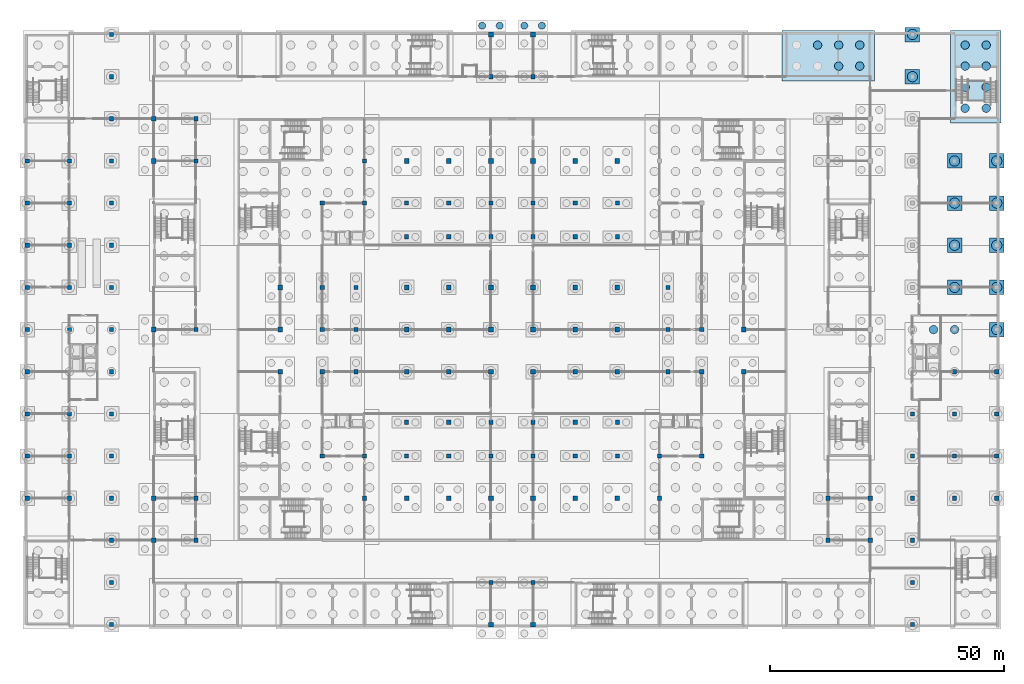
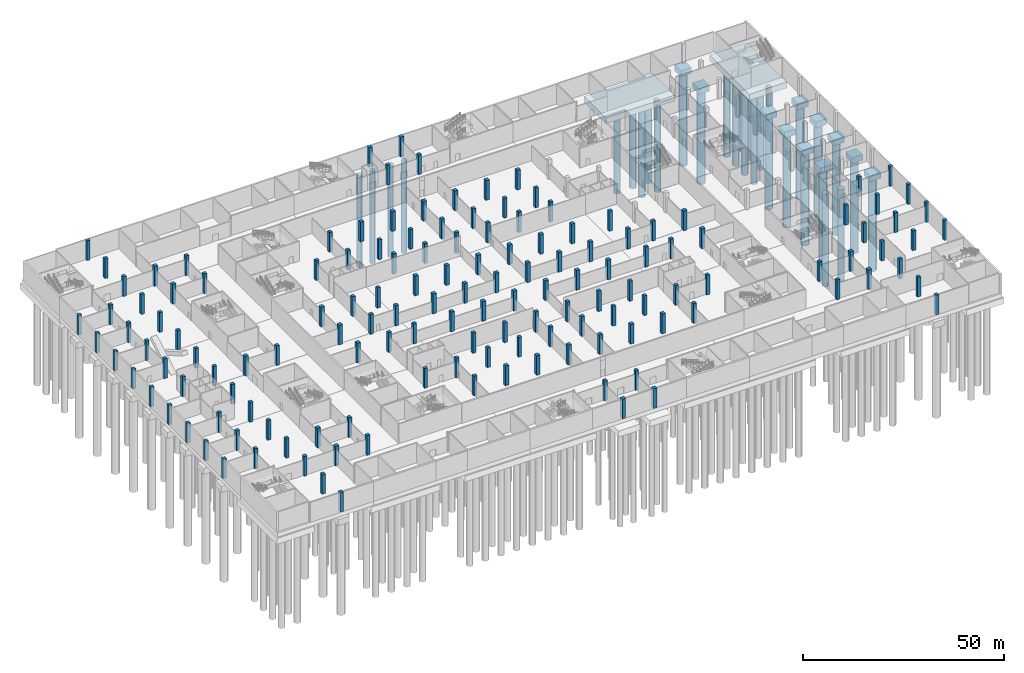
# One storey, part 4 of 42: 147 columns, 30 piles, 13 footings.
"""IFC4 building model written with IfcOpenShell, lengths in metres."""

from ifc_helpers import new_model, si_unit, direction, frame, origin, origin_2d, place, context, subcontext, project, spatial, rectangle, circle, extrude, material, material_profile, profile_set, type_object, element, save


model = new_model("IFC4")

# Units and contexts
model_context = context("Model", 3, precision=1e-05, world=origin(), true_north=direction((0.0, 1.0)))
body_context = subcontext(model_context, "Body", "Model", "MODEL_VIEW")
ifc_project = project(units=[si_unit("LENGTHUNIT", "METRE"), si_unit("AREAUNIT", "SQUARE_METRE"), si_unit("VOLUMEUNIT", "CUBIC_METRE"), si_unit("PLANEANGLEUNIT", "RADIAN"), si_unit("MASSUNIT", "GRAM", prefix="KILO")], contexts=[model_context])

# Site, building, storey
site_placement = place(None, origin())
site = spatial("IfcSite", under=ifc_project, at=site_placement, CompositionType="ELEMENT")
building_placement = place(site_placement, origin())
building = spatial("IfcBuilding", under=site, at=building_placement, Name="Silverbay Arena", CompositionType="ELEMENT")
storey_placement = place(building_placement, frame((0.0, 0.0, -6.0)))
storey = spatial("IfcBuildingStorey", under=building, at=storey_placement, Name="B1", CompositionType="ELEMENT", Elevation=-6.0)

# Piles
ifc_material_1 = material(Name="Concrete Grade C45", Category="concrete")
ifc_material_profile_1 = material_profile(ifc_material_1, circle(Radius=0.75, at=origin_2d()), Name="Bored pile 1500")
ifc_profile_set_1 = profile_set([ifc_material_profile_1], Name="Concrete Grade C45")
pile_type_1 = type_object("IfcPileType", Name="Bored pile 1500", PredefinedType="BORED", material=ifc_profile_set_1)
for number, where, z_axis, x_axis, name in (
    (1, (124.125, 145.875, -3.0), (0.0, 0.0, -1.0), (1.0, 0.0, 0.0), "Bored pile 124.125/145.875"),
    (2, (127.875, 145.875, -3.0), (0.0, 0.0, -1.0), (1.0, 0.0, 0.0), "Bored pile 127.875/145.875"),
    (3, (133.125, 145.875, -3.0), (0.0, 0.0, -1.0), (1.0, 0.0, 0.0), "Bored pile 133.125/145.875"),
    (4, (136.875, 145.875, -3.0), (0.0, 0.0, -1.0), (1.0, 0.0, 0.0), "Bored pile 136.875/145.875"),
):
    element("IfcPile", number, at=place(storey_placement, frame(where, z_axis=z_axis, x_axis=x_axis)), inside=storey, type_object=pile_type_1, Name=name, PredefinedType="BORED", context=body_context, shape_type="SweptSolid", body=[
        extrude(circle(Radius=0.75, at=origin_2d()), origin(), (0.0, 0.0, 1.0), 28.0),
    ])
ifc_material_2 = material(Name="Concrete Grade C45", Category="concrete")
ifc_material_profile_2 = material_profile(ifc_material_2, circle(Radius=0.89990234375, at=origin_2d()), Name="Bored pile 1800")
ifc_profile_set_2 = profile_set([ifc_material_profile_2], Name="Concrete Grade C45")
pile_type_2 = type_object("IfcPileType", Name="Bored pile 1800", PredefinedType="BORED", material=ifc_profile_set_2)
for number, where, z_axis, x_axis, name in (
    (5, (220.5, 81.0, -3.0), (0.0, 0.0, -1.0), (1.0, 0.0, 0.0), "Bored pile 220.5/81"),
    (6, (225.0, 81.0, -3.0), (0.0, 0.0, -1.0), (1.0, 0.0, 0.0), "Bored pile 225/81"),
    (7, (227.25, 128.25, -3.0), (0.0, 0.0, -1.0), (1.0, 0.0, 0.0), "Bored pile 227.25/128.25"),
    (8, (227.25, 132.75, -3.0), (0.0, 0.0, -1.0), (1.0, 0.0, 0.0), "Bored pile 227.25/132.75"),
    (9, (227.25, 137.25, -3.0), (0.0, 0.0, -1.0), (1.0, 0.0, 0.0), "Bored pile 227.25/137.25"),
    (10, (227.25, 141.75, -3.0), (0.0, 0.0, -1.0), (1.0, 0.0, 0.0), "Bored pile 227.25/141.75"),
    (11, (231.75, 128.25, -3.0), (0.0, 0.0, -1.0), (1.0, 0.0, 0.0), "Bored pile 231.75/128.25"),
    (12, (231.75, 132.75, -3.0), (0.0, 0.0, -1.0), (1.0, 0.0, 0.0), "Bored pile 231.75/132.75"),
    (13, (231.75, 137.25, -3.0), (0.0, 0.0, -1.0), (1.0, 0.0, 0.0), "Bored pile 231.75/137.25"),
    (14, (231.75, 141.75, -3.0), (0.0, 0.0, -1.0), (1.0, 0.0, 0.0), "Bored pile 231.75/141.75"),
    (15, (195.75, 141.75, -3.0), (0.0, 0.0, -1.0), (1.0, 0.0, 0.0), "Bored pile 195.75/141.75"),
    (16, (200.25, 137.25, -3.0), (0.0, 0.0, -1.0), (1.0, 0.0, 0.0), "Bored pile 200.25/137.25"),
    (17, (200.25, 141.75, -3.0), (0.0, 0.0, -1.0), (1.0, 0.0, 0.0), "Bored pile 200.25/141.75"),
    (18, (204.75, 137.25, -3.0), (0.0, 0.0, -1.0), (1.0, 0.0, 0.0), "Bored pile 204.75/137.25"),
    (19, (204.75, 141.75, -3.0), (0.0, 0.0, -1.0), (1.0, 0.0, 0.0), "Bored pile 204.75/141.75"),
):
    element("IfcPile", number, at=place(storey_placement, frame(where, z_axis=z_axis, x_axis=x_axis)), inside=storey, type_object=pile_type_2, Name=name, PredefinedType="BORED", context=body_context, shape_type="SweptSolid", body=[
        extrude(circle(Radius=0.89990234375, at=origin_2d()), origin(), (0.0, 0.0, 1.0), 28.0),
    ])
ifc_material_3 = material(Name="Concrete Grade C45", Category="concrete")
ifc_material_profile_3 = material_profile(ifc_material_3, circle(Radius=1.10009765625, at=origin_2d()), Name="Bored pile 2200")
ifc_profile_set_3 = profile_set([ifc_material_profile_3], Name="Concrete Grade C45")
pile_type_3 = type_object("IfcPileType", Name="Bored pile 2200", PredefinedType="BORED", material=ifc_profile_set_3)
for number, where, z_axis, x_axis, name in (
    (20, (234.0, 81.0, -3.0), (0.0, 0.0, -1.0), (1.0, 0.0, 0.0), "Bored pile 234/81"),
    (21, (225.0, 90.0, -3.0), (0.0, 0.0, -1.0), (1.0, 0.0, 0.0), "Bored pile 225/90"),
    (22, (234.0, 90.0, -3.0), (0.0, 0.0, -1.0), (1.0, 0.0, 0.0), "Bored pile 234/90"),
    (23, (225.0, 99.0, -3.0), (0.0, 0.0, -1.0), (1.0, 0.0, 0.0), "Bored pile 225/99"),
    (24, (234.0, 99.0, -3.0), (0.0, 0.0, -1.0), (1.0, 0.0, 0.0), "Bored pile 234/99"),
    (25, (225.0, 108.0, -3.0), (0.0, 0.0, -1.0), (1.0, 0.0, 0.0), "Bored pile 225/108"),
    (26, (234.0, 108.0, -3.0), (0.0, 0.0, -1.0), (1.0, 0.0, 0.0), "Bored pile 234/108"),
    (27, (225.0, 117.0, -3.0), (0.0, 0.0, -1.0), (1.0, 0.0, 0.0), "Bored pile 225/117"),
    (28, (234.0, 117.0, -3.0), (0.0, 0.0, -1.0), (1.0, 0.0, 0.0), "Bored pile 234/117"),
    (29, (216.0, 135.0, -3.0), (0.0, 0.0, -1.0), (1.0, 0.0, 0.0), "Bored pile 216/135"),
    (30, (216.0, 144.0, -3.0), (0.0, 0.0, -1.0), (1.0, 0.0, 0.0), "Bored pile 216/144"),
):
    element("IfcPile", number, at=place(storey_placement, frame(where, z_axis=z_axis, x_axis=x_axis)), inside=storey, type_object=pile_type_3, Name=name, PredefinedType="BORED", context=body_context, shape_type="SweptSolid", body=[
        extrude(circle(Radius=1.10009765625, at=origin_2d()), origin(), (0.0, 0.0, 1.0), 28.0),
    ])

# Footings
ifc_material_4 = material(Name="Concrete Grade C45", Category="concrete")
footing_type_1 = type_object("IfcFootingType", Name="Pile cap 1 piles 3100x3100x1800", PredefinedType="PILE_CAP", material=ifc_material_4)
for number, where, z_axis, x_axis, name in (
    (31, (234.0, 81.0, -3.0), (0.0, 0.0, 1.0), (1.0, 0.0, 0.0), "Pile cap 234/81"),
    (32, (225.0, 90.0, -3.0), (0.0, 0.0, 1.0), (1.0, 0.0, 0.0), "Pile cap 225/90"),
    (33, (234.0, 90.0, -3.0), (0.0, 0.0, 1.0), (1.0, 0.0, 0.0), "Pile cap 234/90"),
    (34, (225.0, 99.0, -3.0), (0.0, 0.0, 1.0), (1.0, 0.0, 0.0), "Pile cap 225/99"),
    (35, (234.0, 99.0, -3.0), (0.0, 0.0, 1.0), (1.0, 0.0, 0.0), "Pile cap 234/99"),
    (36, (225.0, 108.0, -3.0), (0.0, 0.0, 1.0), (1.0, 0.0, 0.0), "Pile cap 225/108"),
    (37, (234.0, 108.0, -3.0), (0.0, 0.0, 1.0), (1.0, 0.0, 0.0), "Pile cap 234/108"),
    (38, (225.0, 117.0, -3.0), (0.0, 0.0, 1.0), (1.0, 0.0, 0.0), "Pile cap 225/117"),
    (39, (234.0, 117.0, -3.0), (0.0, 0.0, 1.0), (1.0, 0.0, 0.0), "Pile cap 234/117"),
    (40, (216.0, 135.0, -3.0), (0.0, 0.0, 1.0), (1.0, 0.0, 0.0), "Pile cap 216/135"),
    (41, (216.0, 144.0, -3.0), (0.0, 0.0, 1.0), (1.0, 0.0, 0.0), "Pile cap 216/144"),
):
    element("IfcFooting", number, at=place(storey_placement, frame(where, z_axis=z_axis, x_axis=x_axis)), inside=storey, type_object=footing_type_1, Name=name, PredefinedType="PILE_CAP", context=body_context, shape_type="SweptSolid", body=[
        extrude(rectangle(XDim=3.10009765625, YDim=3.10009765625, at=origin_2d()), origin(), (0.0, 0.0, 1.0), 1.800048828125),
    ])
ifc_material_5 = material(Name="Concrete Grade C45", Category="concrete")
footing_type_2 = type_object("IfcFootingType", Name="Pile cap 8 piles 10800x19800x1800", PredefinedType="PILE_CAP", material=ifc_material_5)
footing_1_placement = place(storey_placement, frame((229.5, 135.0, -3.0), z_axis=(0.0, 0.0, 1.0), x_axis=(1.0, 0.0, 0.0)))
element("IfcFooting", 42, at=footing_1_placement, inside=storey, type_object=footing_type_2, Name="Pile cap 229.5/135", PredefinedType="PILE_CAP", context=body_context, shape_type="SweptSolid", body=[
    extrude(rectangle(XDim=10.800048828125, YDim=19.800048828125, at=origin_2d()), origin(), (0.0, 0.0, 1.0), 1.800048828125),
])
ifc_material_6 = material(Name="Concrete Grade C45", Category="concrete")
footing_type_3 = type_object("IfcFootingType", Name="Pile cap 8 piles 19800x10800x1800", PredefinedType="PILE_CAP", material=ifc_material_6)
footing_2_placement = place(storey_placement, frame((198.0, 139.5, -3.0), z_axis=(0.0, 0.0, 1.0), x_axis=(1.0, 0.0, 0.0)))
element("IfcFooting", 43, at=footing_2_placement, inside=storey, type_object=footing_type_3, Name="Pile cap 198/139.5", PredefinedType="PILE_CAP", context=body_context, shape_type="SweptSolid", body=[
    extrude(rectangle(XDim=19.800048828125, YDim=10.800048828125, at=origin_2d()), origin(), (0.0, 0.0, 1.0), 1.800048828125),
])

# Columns
ifc_material_7 = material(Name="Concrete Grade 60", Category="concrete")
ifc_material_profile_4 = material_profile(ifc_material_7, rectangle(XDim=1.0, YDim=1.0, at=origin_2d()), Name="RC 1000x1000")
ifc_profile_set_4 = profile_set([ifc_material_profile_4], Name="Concrete Grade 60")
column_type_1 = type_object("IfcColumnType", Name="Basement column RC 1000x1000", PredefinedType="COLUMN", material=ifc_profile_set_4)
for number, where, z_axis, x_axis, name in (
    (44, (126.0, 18.0, 0.0), (0.0, 0.0, 1.0), (1.0, 0.0, 0.0), "Column 15/C B1"),
    (45, (126.0, 144.0, 0.0), (0.0, 0.0, 1.0), (1.0, 0.0, 0.0), "Column 15/S B1"),
    (46, (135.0, 18.0, 0.0), (0.0, 0.0, 1.0), (1.0, 0.0, 0.0), "Column 16/C B1"),
    (47, (135.0, 144.0, 0.0), (0.0, 0.0, 1.0), (1.0, 0.0, 0.0), "Column 16/S B1"),
    (48, (54.0, 36.0, 0.0), (0.0, 0.0, 1.0), (1.0, 0.0, 0.0), "Column 7/E B1"),
    (49, (207.0, 36.0, 0.0), (0.0, 0.0, 1.0), (1.0, 0.0, 0.0), "Column 24/E B1"),
    (50, (54.0, 45.0, 0.0), (0.0, 0.0, 1.0), (1.0, 0.0, 0.0), "Column 7/F B1"),
    (51, (207.0, 45.0, 0.0), (0.0, 0.0, 1.0), (1.0, 0.0, 0.0), "Column 24/F B1"),
    (52, (54.0, 81.0, 0.0), (0.0, 0.0, 1.0), (1.0, 0.0, 0.0), "Column 7/K B1"),
    (53, (54.0, 117.0, 0.0), (0.0, 0.0, 1.0), (1.0, 0.0, 0.0), "Column 7/P B1"),
    (54, (54.0, 126.0, 0.0), (0.0, 0.0, 1.0), (1.0, 0.0, 0.0), "Column 7/Q B1"),
    (55, (108.0, 45.0, 0.0), (0.0, 0.0, 1.0), (1.0, 0.0, 0.0), "Column 13/F B1"),
    (56, (117.0, 45.0, 0.0), (0.0, 0.0, 1.0), (1.0, 0.0, 0.0), "Column 14/F B1"),
    (57, (126.0, 45.0, 0.0), (0.0, 0.0, 1.0), (1.0, 0.0, 0.0), "Column 15/F B1"),
    (58, (135.0, 45.0, 0.0), (0.0, 0.0, 1.0), (1.0, 0.0, 0.0), "Column 16/F B1"),
    (59, (144.0, 45.0, 0.0), (0.0, 0.0, 1.0), (1.0, 0.0, 0.0), "Column 17/F B1"),
    (60, (153.0, 45.0, 0.0), (0.0, 0.0, 1.0), (1.0, 0.0, 0.0), "Column 18/F B1"),
    (61, (108.0, 117.0, 0.0), (0.0, 0.0, 1.0), (1.0, 0.0, 0.0), "Column 13/P B1"),
    (62, (117.0, 117.0, 0.0), (0.0, 0.0, 1.0), (1.0, 0.0, 0.0), "Column 14/P B1"),
    (63, (126.0, 117.0, 0.0), (0.0, 0.0, 1.0), (1.0, 0.0, 0.0), "Column 15/P B1"),
    (64, (135.0, 117.0, 0.0), (0.0, 0.0, 1.0), (1.0, 0.0, 0.0), "Column 16/P B1"),
    (65, (144.0, 117.0, 0.0), (0.0, 0.0, 1.0), (1.0, 0.0, 0.0), "Column 17/P B1"),
    (66, (153.0, 117.0, 0.0), (0.0, 0.0, 1.0), (1.0, 0.0, 0.0), "Column 18/P B1"),
    (67, (81.0, 72.0, 0.0), (0.0, 0.0, 1.0), (1.0, 0.0, 0.0), "Column 10/J B1"),
    (68, (81.0, 81.0, 0.0), (0.0, 0.0, 1.0), (1.0, 0.0, 0.0), "Column 10/K B1"),
    (69, (81.0, 90.0, 0.0), (0.0, 0.0, 1.0), (1.0, 0.0, 0.0), "Column 10/L B1"),
    (70, (180.0, 72.0, 0.0), (0.0, 0.0, 1.0), (1.0, 0.0, 0.0), "Column 21/J B1"),
    (71, (180.0, 81.0, 0.0), (0.0, 0.0, 1.0), (1.0, 0.0, 0.0), "Column 21/K B1"),
    (72, (108.0, 72.0, 0.0), (0.0, 0.0, 1.0), (1.0, 0.0, 0.0), "Column 13/J B1"),
    (73, (108.0, 81.0, 0.0), (0.0, 0.0, 1.0), (1.0, 0.0, 0.0), "Column 13/K B1"),
    (74, (108.0, 90.0, 0.0), (0.0, 0.0, 1.0), (1.0, 0.0, 0.0), "Column 13/L B1"),
    (75, (117.0, 72.0, 0.0), (0.0, 0.0, 1.0), (1.0, 0.0, 0.0), "Column 14/J B1"),
    (76, (117.0, 81.0, 0.0), (0.0, 0.0, 1.0), (1.0, 0.0, 0.0), "Column 14/K B1"),
    (77, (117.0, 90.0, 0.0), (0.0, 0.0, 1.0), (1.0, 0.0, 0.0), "Column 14/L B1"),
    (78, (126.0, 72.0, 0.0), (0.0, 0.0, 1.0), (1.0, 0.0, 0.0), "Column 15/J B1"),
    (79, (126.0, 81.0, 0.0), (0.0, 0.0, 1.0), (1.0, 0.0, 0.0), "Column 15/K B1"),
    (80, (126.0, 90.0, 0.0), (0.0, 0.0, 1.0), (1.0, 0.0, 0.0), "Column 15/L B1"),
    (81, (135.0, 72.0, 0.0), (0.0, 0.0, 1.0), (1.0, 0.0, 0.0), "Column 16/J B1"),
    (82, (135.0, 81.0, 0.0), (0.0, 0.0, 1.0), (1.0, 0.0, 0.0), "Column 16/K B1"),
    (83, (135.0, 90.0, 0.0), (0.0, 0.0, 1.0), (1.0, 0.0, 0.0), "Column 16/L B1"),
    (84, (144.0, 72.0, 0.0), (0.0, 0.0, 1.0), (1.0, 0.0, 0.0), "Column 17/J B1"),
    (85, (144.0, 81.0, 0.0), (0.0, 0.0, 1.0), (1.0, 0.0, 0.0), "Column 17/K B1"),
    (86, (144.0, 90.0, 0.0), (0.0, 0.0, 1.0), (1.0, 0.0, 0.0), "Column 17/L B1"),
    (87, (153.0, 72.0, 0.0), (0.0, 0.0, 1.0), (1.0, 0.0, 0.0), "Column 18/J B1"),
    (88, (153.0, 81.0, 0.0), (0.0, 0.0, 1.0), (1.0, 0.0, 0.0), "Column 18/K B1"),
    (89, (153.0, 90.0, 0.0), (0.0, 0.0, 1.0), (1.0, 0.0, 0.0), "Column 18/L B1"),
):
    element("IfcColumn", number, at=place(storey_placement, frame(where, z_axis=z_axis, x_axis=x_axis)), inside=storey, type_object=column_type_1, Name=name, PredefinedType="COLUMN", context=body_context, shape_type="SweptSolid", body=[
        extrude(rectangle(XDim=1.0, YDim=1.0, at=origin_2d()), origin(), (0.0, 0.0, 1.0), 6.0),
    ])
ifc_material_8 = material(Name="Concrete Grade C45", Category="concrete")
ifc_material_profile_5 = material_profile(ifc_material_8, rectangle(XDim=0.89990234375, YDim=0.89990234375, at=origin_2d()), Name="RC 900x900")
ifc_profile_set_5 = profile_set([ifc_material_profile_5], Name="Concrete Grade C45")
column_type_2 = type_object("IfcColumnType", Name="Basement column RC 900x900", PredefinedType="COLUMN", material=ifc_profile_set_5)
for number, where, z_axis, x_axis, name in (
    (90, (126.0, 27.0, 0.0), (0.0, 0.0, 1.0), (1.0, 0.0, 0.0), "Column 15/D B1"),
    (91, (126.0, 135.0, 0.0), (0.0, 0.0, 1.0), (1.0, 0.0, 0.0), "Column 15/R B1"),
    (92, (135.0, 27.0, 0.0), (0.0, 0.0, 1.0), (1.0, 0.0, 0.0), "Column 16/D B1"),
    (93, (135.0, 135.0, 0.0), (0.0, 0.0, 1.0), (1.0, 0.0, 0.0), "Column 16/R B1"),
    (94, (63.0, 36.0, 0.0), (0.0, 0.0, 1.0), (1.0, 0.0, 0.0), "Column 8/E B1"),
    (95, (198.0, 36.0, 0.0), (0.0, 0.0, 1.0), (1.0, 0.0, 0.0), "Column 23/E B1"),
    (96, (63.0, 45.0, 0.0), (0.0, 0.0, 1.0), (1.0, 0.0, 0.0), "Column 8/F B1"),
    (97, (198.0, 45.0, 0.0), (0.0, 0.0, 1.0), (1.0, 0.0, 0.0), "Column 23/F B1"),
    (98, (63.0, 81.0, 0.0), (0.0, 0.0, 1.0), (1.0, 0.0, 0.0), "Column 8/K B1"),
    (99, (63.0, 117.0, 0.0), (0.0, 0.0, 1.0), (1.0, 0.0, 0.0), "Column 8/P B1"),
    (100, (63.0, 126.0, 0.0), (0.0, 0.0, 1.0), (1.0, 0.0, 0.0), "Column 8/Q B1"),
    (101, (27.0, 45.0, 0.0), (0.0, 0.0, 1.0), (1.0, 0.0, 0.0), "Column 4/F B1"),
    (102, (27.0, 54.0, 0.0), (0.0, 0.0, 1.0), (1.0, 0.0, 0.0), "Column 4/G B1"),
    (103, (27.0, 63.0, 0.0), (0.0, 0.0, 1.0), (1.0, 0.0, 0.0), "Column 4/H B1"),
    (104, (27.0, 72.0, 0.0), (0.0, 0.0, 1.0), (1.0, 0.0, 0.0), "Column 4/J B1"),
    (105, (27.0, 81.0, 0.0), (0.0, 0.0, 1.0), (1.0, 0.0, 0.0), "Column 4/K B1"),
    (106, (27.0, 90.0, 0.0), (0.0, 0.0, 1.0), (1.0, 0.0, 0.0), "Column 4/L B1"),
    (107, (27.0, 99.0, 0.0), (0.0, 0.0, 1.0), (1.0, 0.0, 0.0), "Column 4/M B1"),
    (108, (27.0, 108.0, 0.0), (0.0, 0.0, 1.0), (1.0, 0.0, 0.0), "Column 4/N B1"),
    (109, (27.0, 117.0, 0.0), (0.0, 0.0, 1.0), (1.0, 0.0, 0.0), "Column 4/P B1"),
    (110, (36.0, 45.0, 0.0), (0.0, 0.0, 1.0), (1.0, 0.0, 0.0), "Column 5/F B1"),
    (111, (36.0, 54.0, 0.0), (0.0, 0.0, 1.0), (1.0, 0.0, 0.0), "Column 5/G B1"),
    (112, (36.0, 63.0, 0.0), (0.0, 0.0, 1.0), (1.0, 0.0, 0.0), "Column 5/H B1"),
    (113, (36.0, 81.0, 0.0), (0.0, 0.0, 1.0), (1.0, 0.0, 0.0), "Column 5/K B1"),
    (114, (36.0, 90.0, 0.0), (0.0, 0.0, 1.0), (1.0, 0.0, 0.0), "Column 5/L B1"),
    (115, (36.0, 99.0, 0.0), (0.0, 0.0, 1.0), (1.0, 0.0, 0.0), "Column 5/M B1"),
    (116, (36.0, 108.0, 0.0), (0.0, 0.0, 1.0), (1.0, 0.0, 0.0), "Column 5/N B1"),
    (117, (36.0, 117.0, 0.0), (0.0, 0.0, 1.0), (1.0, 0.0, 0.0), "Column 5/P B1"),
    (118, (45.0, 18.0, 0.0), (0.0, 0.0, 1.0), (1.0, 0.0, 0.0), "Column 6/C B1"),
    (119, (45.0, 27.0, 0.0), (0.0, 0.0, 1.0), (1.0, 0.0, 0.0), "Column 6/D B1"),
    (120, (45.0, 36.0, 0.0), (0.0, 0.0, 1.0), (1.0, 0.0, 0.0), "Column 6/E B1"),
    (121, (45.0, 45.0, 0.0), (0.0, 0.0, 1.0), (1.0, 0.0, 0.0), "Column 6/F B1"),
    (122, (45.0, 54.0, 0.0), (0.0, 0.0, 1.0), (1.0, 0.0, 0.0), "Column 6/G B1"),
    (123, (45.0, 63.0, 0.0), (0.0, 0.0, 1.0), (1.0, 0.0, 0.0), "Column 6/H B1"),
    (124, (45.0, 72.0, 0.0), (0.0, 0.0, 1.0), (1.0, 0.0, 0.0), "Column 6/J B1"),
    (125, (45.0, 81.0, 0.0), (0.0, 0.0, 1.0), (1.0, 0.0, 0.0), "Column 6/K B1"),
    (126, (45.0, 90.0, 0.0), (0.0, 0.0, 1.0), (1.0, 0.0, 0.0), "Column 6/L B1"),
    (127, (45.0, 99.0, 0.0), (0.0, 0.0, 1.0), (1.0, 0.0, 0.0), "Column 6/M B1"),
    (128, (45.0, 108.0, 0.0), (0.0, 0.0, 1.0), (1.0, 0.0, 0.0), "Column 6/N B1"),
    (129, (45.0, 117.0, 0.0), (0.0, 0.0, 1.0), (1.0, 0.0, 0.0), "Column 6/P B1"),
    (130, (45.0, 126.0, 0.0), (0.0, 0.0, 1.0), (1.0, 0.0, 0.0), "Column 6/Q B1"),
    (131, (45.0, 135.0, 0.0), (0.0, 0.0, 1.0), (1.0, 0.0, 0.0), "Column 6/R B1"),
    (132, (45.0, 144.0, 0.0), (0.0, 0.0, 1.0), (1.0, 0.0, 0.0), "Column 6/S B1"),
    (133, (216.0, 18.0, 0.0), (0.0, 0.0, 1.0), (1.0, 0.0, 0.0), "Column 25/C B1"),
    (134, (216.0, 27.0, 0.0), (0.0, 0.0, 1.0), (1.0, 0.0, 0.0), "Column 25/D B1"),
    (135, (216.0, 36.0, 0.0), (0.0, 0.0, 1.0), (1.0, 0.0, 0.0), "Column 25/E B1"),
    (136, (216.0, 45.0, 0.0), (0.0, 0.0, 1.0), (1.0, 0.0, 0.0), "Column 25/F B1"),
    (137, (216.0, 54.0, 0.0), (0.0, 0.0, 1.0), (1.0, 0.0, 0.0), "Column 25/G B1"),
    (138, (216.0, 63.0, 0.0), (0.0, 0.0, 1.0), (1.0, 0.0, 0.0), "Column 25/H B1"),
    (139, (225.0, 45.0, 0.0), (0.0, 0.0, 1.0), (1.0, 0.0, 0.0), "Column 26/F B1"),
    (140, (225.0, 54.0, 0.0), (0.0, 0.0, 1.0), (1.0, 0.0, 0.0), "Column 26/G B1"),
    (141, (225.0, 63.0, 0.0), (0.0, 0.0, 1.0), (1.0, 0.0, 0.0), "Column 26/H B1"),
    (142, (225.0, 72.0, 0.0), (0.0, 0.0, 1.0), (1.0, 0.0, 0.0), "Column 26/J B1"),
    (143, (234.0, 45.0, 0.0), (0.0, 0.0, 1.0), (1.0, 0.0, 0.0), "Column 27/F B1"),
    (144, (234.0, 54.0, 0.0), (0.0, 0.0, 1.0), (1.0, 0.0, 0.0), "Column 27/G B1"),
    (145, (234.0, 63.0, 0.0), (0.0, 0.0, 1.0), (1.0, 0.0, 0.0), "Column 27/H B1"),
    (146, (234.0, 72.0, 0.0), (0.0, 0.0, 1.0), (1.0, 0.0, 0.0), "Column 27/J B1"),
    (147, (90.0, 54.0, 0.0), (0.0, 0.0, 1.0), (1.0, 0.0, 0.0), "Column 11/G B1"),
    (148, (99.0, 45.0, 0.0), (0.0, 0.0, 1.0), (1.0, 0.0, 0.0), "Column 12/F B1"),
    (149, (99.0, 54.0, 0.0), (0.0, 0.0, 1.0), (1.0, 0.0, 0.0), "Column 12/G B1"),
    (150, (162.0, 45.0, 0.0), (0.0, 0.0, 1.0), (1.0, 0.0, 0.0), "Column 19/F B1"),
    (151, (162.0, 54.0, 0.0), (0.0, 0.0, 1.0), (1.0, 0.0, 0.0), "Column 19/G B1"),
    (152, (171.0, 54.0, 0.0), (0.0, 0.0, 1.0), (1.0, 0.0, 0.0), "Column 20/G B1"),
    (153, (90.0, 108.0, 0.0), (0.0, 0.0, 1.0), (1.0, 0.0, 0.0), "Column 11/N B1"),
    (154, (99.0, 108.0, 0.0), (0.0, 0.0, 1.0), (1.0, 0.0, 0.0), "Column 12/N B1"),
    (155, (99.0, 117.0, 0.0), (0.0, 0.0, 1.0), (1.0, 0.0, 0.0), "Column 12/P B1"),
):
    element("IfcColumn", number, at=place(storey_placement, frame(where, z_axis=z_axis, x_axis=x_axis)), inside=storey, type_object=column_type_2, Name=name, PredefinedType="COLUMN", context=body_context, shape_type="SweptSolid", body=[
        extrude(rectangle(XDim=0.89990234375, YDim=0.89990234375, at=origin_2d()), origin(), (0.0, 0.0, 1.0), 6.0),
    ])
column_1_placement = place(storey_placement, frame((108.0, 61.199951171875, 0.0), z_axis=(0.0, 0.0, 1.0), x_axis=(1.0, 0.0, 0.0)))
element("IfcColumn", 156, at=column_1_placement, inside=storey, type_object=column_type_2, Name="Column 108/61.2 B1", PredefinedType="COLUMN", context=body_context, shape_type="SweptSolid", body=[
    extrude(rectangle(XDim=0.89990234375, YDim=0.89990234375, at=origin_2d()), origin(), (0.0, 0.0, 1.0), 6.131591796875),
])
column_2_placement = place(storey_placement, frame((108.0, 54.0, 0.0), z_axis=(0.0, 0.0, 1.0), x_axis=(1.0, 0.0, 0.0)))
element("IfcColumn", 157, at=column_2_placement, inside=storey, type_object=column_type_2, Name="Column 13/G B1", PredefinedType="COLUMN", context=body_context, shape_type="SweptSolid", body=[
    extrude(rectangle(XDim=0.89990234375, YDim=0.89990234375, at=origin_2d()), origin(), (0.0, 0.0, 1.0), 6.0),
])
column_3_placement = place(storey_placement, frame((117.0, 61.199951171875, 0.0), z_axis=(0.0, 0.0, 1.0), x_axis=(1.0, 0.0, 0.0)))
element("IfcColumn", 158, at=column_3_placement, inside=storey, type_object=column_type_2, Name="Column 117/61.2 B1", PredefinedType="COLUMN", context=body_context, shape_type="SweptSolid", body=[
    extrude(rectangle(XDim=0.89990234375, YDim=0.89990234375, at=origin_2d()), origin(), (0.0, 0.0, 1.0), 6.131591796875),
])
column_4_placement = place(storey_placement, frame((117.0, 54.0, 0.0), z_axis=(0.0, 0.0, 1.0), x_axis=(1.0, 0.0, 0.0)))
element("IfcColumn", 159, at=column_4_placement, inside=storey, type_object=column_type_2, Name="Column 14/G B1", PredefinedType="COLUMN", context=body_context, shape_type="SweptSolid", body=[
    extrude(rectangle(XDim=0.89990234375, YDim=0.89990234375, at=origin_2d()), origin(), (0.0, 0.0, 1.0), 6.0),
])
column_5_placement = place(storey_placement, frame((126.0, 61.199951171875, 0.0), z_axis=(0.0, 0.0, 1.0), x_axis=(1.0, 0.0, 0.0)))
element("IfcColumn", 160, at=column_5_placement, inside=storey, type_object=column_type_2, Name="Column 126/61.2 B1", PredefinedType="COLUMN", context=body_context, shape_type="SweptSolid", body=[
    extrude(rectangle(XDim=0.89990234375, YDim=0.89990234375, at=origin_2d()), origin(), (0.0, 0.0, 1.0), 6.242431640625),
])
column_6_placement = place(storey_placement, frame((126.0, 54.0, 0.0), z_axis=(0.0, 0.0, 1.0), x_axis=(1.0, 0.0, 0.0)))
element("IfcColumn", 161, at=column_6_placement, inside=storey, type_object=column_type_2, Name="Column 15/G B1", PredefinedType="COLUMN", context=body_context, shape_type="SweptSolid", body=[
    extrude(rectangle(XDim=0.89990234375, YDim=0.89990234375, at=origin_2d()), origin(), (0.0, 0.0, 1.0), 6.0),
])
column_7_placement = place(storey_placement, frame((135.0, 61.199951171875, 0.0), z_axis=(0.0, 0.0, 1.0), x_axis=(1.0, 0.0, 0.0)))
element("IfcColumn", 162, at=column_7_placement, inside=storey, type_object=column_type_2, Name="Column 135/61.2 B1", PredefinedType="COLUMN", context=body_context, shape_type="SweptSolid", body=[
    extrude(rectangle(XDim=0.89990234375, YDim=0.89990234375, at=origin_2d()), origin(), (0.0, 0.0, 1.0), 6.131591796875),
])
column_8_placement = place(storey_placement, frame((135.0, 54.0, 0.0), z_axis=(0.0, 0.0, 1.0), x_axis=(1.0, 0.0, 0.0)))
element("IfcColumn", 163, at=column_8_placement, inside=storey, type_object=column_type_2, Name="Column 16/G B1", PredefinedType="COLUMN", context=body_context, shape_type="SweptSolid", body=[
    extrude(rectangle(XDim=0.89990234375, YDim=0.89990234375, at=origin_2d()), origin(), (0.0, 0.0, 1.0), 6.0),
])
column_9_placement = place(storey_placement, frame((144.0, 61.199951171875, 0.0), z_axis=(0.0, 0.0, 1.0), x_axis=(1.0, 0.0, 0.0)))
element("IfcColumn", 164, at=column_9_placement, inside=storey, type_object=column_type_2, Name="Column 144/61.2 B1", PredefinedType="COLUMN", context=body_context, shape_type="SweptSolid", body=[
    extrude(rectangle(XDim=0.89990234375, YDim=0.89990234375, at=origin_2d()), origin(), (0.0, 0.0, 1.0), 6.242431640625),
])
column_10_placement = place(storey_placement, frame((144.0, 54.0, 0.0), z_axis=(0.0, 0.0, 1.0), x_axis=(1.0, 0.0, 0.0)))
element("IfcColumn", 165, at=column_10_placement, inside=storey, type_object=column_type_2, Name="Column 17/G B1", PredefinedType="COLUMN", context=body_context, shape_type="SweptSolid", body=[
    extrude(rectangle(XDim=0.89990234375, YDim=0.89990234375, at=origin_2d()), origin(), (0.0, 0.0, 1.0), 6.0),
])
column_11_placement = place(storey_placement, frame((153.0, 61.199951171875, 0.0), z_axis=(0.0, 0.0, 1.0), x_axis=(1.0, 0.0, 0.0)))
element("IfcColumn", 166, at=column_11_placement, inside=storey, type_object=column_type_2, Name="Column 153/61.2 B1", PredefinedType="COLUMN", context=body_context, shape_type="SweptSolid", body=[
    extrude(rectangle(XDim=0.89990234375, YDim=0.89990234375, at=origin_2d()), origin(), (0.0, 0.0, 1.0), 6.131591796875),
])
column_12_placement = place(storey_placement, frame((153.0, 54.0, 0.0), z_axis=(0.0, 0.0, 1.0), x_axis=(1.0, 0.0, 0.0)))
element("IfcColumn", 167, at=column_12_placement, inside=storey, type_object=column_type_2, Name="Column 18/G B1", PredefinedType="COLUMN", context=body_context, shape_type="SweptSolid", body=[
    extrude(rectangle(XDim=0.89990234375, YDim=0.89990234375, at=origin_2d()), origin(), (0.0, 0.0, 1.0), 6.0),
])
column_13_placement = place(storey_placement, frame((108.0, 100.800048828125, 0.0), z_axis=(0.0, 0.0, 1.0), x_axis=(1.0, 0.0, 0.0)))
element("IfcColumn", 168, at=column_13_placement, inside=storey, type_object=column_type_2, Name="Column 108/100.8 B1", PredefinedType="COLUMN", context=body_context, shape_type="SweptSolid", body=[
    extrude(rectangle(XDim=0.89990234375, YDim=0.89990234375, at=origin_2d()), origin(), (0.0, 0.0, 1.0), 6.131591796875),
])
column_14_placement = place(storey_placement, frame((108.0, 108.0, 0.0), z_axis=(0.0, 0.0, 1.0), x_axis=(1.0, 0.0, 0.0)))
element("IfcColumn", 169, at=column_14_placement, inside=storey, type_object=column_type_2, Name="Column 13/N B1", PredefinedType="COLUMN", context=body_context, shape_type="SweptSolid", body=[
    extrude(rectangle(XDim=0.89990234375, YDim=0.89990234375, at=origin_2d()), origin(), (0.0, 0.0, 1.0), 6.0),
])
column_15_placement = place(storey_placement, frame((117.0, 100.800048828125, 0.0), z_axis=(0.0, 0.0, 1.0), x_axis=(1.0, 0.0, 0.0)))
element("IfcColumn", 170, at=column_15_placement, inside=storey, type_object=column_type_2, Name="Column 117/100.8 B1", PredefinedType="COLUMN", context=body_context, shape_type="SweptSolid", body=[
    extrude(rectangle(XDim=0.89990234375, YDim=0.89990234375, at=origin_2d()), origin(), (0.0, 0.0, 1.0), 6.131591796875),
])
column_16_placement = place(storey_placement, frame((117.0, 108.0, 0.0), z_axis=(0.0, 0.0, 1.0), x_axis=(1.0, 0.0, 0.0)))
element("IfcColumn", 171, at=column_16_placement, inside=storey, type_object=column_type_2, Name="Column 14/N B1", PredefinedType="COLUMN", context=body_context, shape_type="SweptSolid", body=[
    extrude(rectangle(XDim=0.89990234375, YDim=0.89990234375, at=origin_2d()), origin(), (0.0, 0.0, 1.0), 6.0),
])
column_17_placement = place(storey_placement, frame((126.0, 100.800048828125, 0.0), z_axis=(0.0, 0.0, 1.0), x_axis=(1.0, 0.0, 0.0)))
element("IfcColumn", 172, at=column_17_placement, inside=storey, type_object=column_type_2, Name="Column 126/100.8 B1", PredefinedType="COLUMN", context=body_context, shape_type="SweptSolid", body=[
    extrude(rectangle(XDim=0.89990234375, YDim=0.89990234375, at=origin_2d()), origin(), (0.0, 0.0, 1.0), 6.242431640625),
])
column_18_placement = place(storey_placement, frame((126.0, 108.0, 0.0), z_axis=(0.0, 0.0, 1.0), x_axis=(1.0, 0.0, 0.0)))
element("IfcColumn", 173, at=column_18_placement, inside=storey, type_object=column_type_2, Name="Column 15/N B1", PredefinedType="COLUMN", context=body_context, shape_type="SweptSolid", body=[
    extrude(rectangle(XDim=0.89990234375, YDim=0.89990234375, at=origin_2d()), origin(), (0.0, 0.0, 1.0), 6.0),
])
column_19_placement = place(storey_placement, frame((135.0, 100.800048828125, 0.0), z_axis=(0.0, 0.0, 1.0), x_axis=(1.0, 0.0, 0.0)))
element("IfcColumn", 174, at=column_19_placement, inside=storey, type_object=column_type_2, Name="Column 135/100.8 B1", PredefinedType="COLUMN", context=body_context, shape_type="SweptSolid", body=[
    extrude(rectangle(XDim=0.89990234375, YDim=0.89990234375, at=origin_2d()), origin(), (0.0, 0.0, 1.0), 6.131591796875),
])
column_20_placement = place(storey_placement, frame((135.0, 108.0, 0.0), z_axis=(0.0, 0.0, 1.0), x_axis=(1.0, 0.0, 0.0)))
element("IfcColumn", 175, at=column_20_placement, inside=storey, type_object=column_type_2, Name="Column 16/N B1", PredefinedType="COLUMN", context=body_context, shape_type="SweptSolid", body=[
    extrude(rectangle(XDim=0.89990234375, YDim=0.89990234375, at=origin_2d()), origin(), (0.0, 0.0, 1.0), 6.0),
])
column_21_placement = place(storey_placement, frame((144.0, 100.800048828125, 0.0), z_axis=(0.0, 0.0, 1.0), x_axis=(1.0, 0.0, 0.0)))
element("IfcColumn", 176, at=column_21_placement, inside=storey, type_object=column_type_2, Name="Column 144/100.8 B1", PredefinedType="COLUMN", context=body_context, shape_type="SweptSolid", body=[
    extrude(rectangle(XDim=0.89990234375, YDim=0.89990234375, at=origin_2d()), origin(), (0.0, 0.0, 1.0), 6.242431640625),
])
column_22_placement = place(storey_placement, frame((144.0, 108.0, 0.0), z_axis=(0.0, 0.0, 1.0), x_axis=(1.0, 0.0, 0.0)))
element("IfcColumn", 177, at=column_22_placement, inside=storey, type_object=column_type_2, Name="Column 17/N B1", PredefinedType="COLUMN", context=body_context, shape_type="SweptSolid", body=[
    extrude(rectangle(XDim=0.89990234375, YDim=0.89990234375, at=origin_2d()), origin(), (0.0, 0.0, 1.0), 6.0),
])
column_23_placement = place(storey_placement, frame((153.0, 100.800048828125, 0.0), z_axis=(0.0, 0.0, 1.0), x_axis=(1.0, 0.0, 0.0)))
element("IfcColumn", 178, at=column_23_placement, inside=storey, type_object=column_type_2, Name="Column 153/100.8 B1", PredefinedType="COLUMN", context=body_context, shape_type="SweptSolid", body=[
    extrude(rectangle(XDim=0.89990234375, YDim=0.89990234375, at=origin_2d()), origin(), (0.0, 0.0, 1.0), 6.131591796875),
])
column_24_placement = place(storey_placement, frame((153.0, 108.0, 0.0), z_axis=(0.0, 0.0, 1.0), x_axis=(1.0, 0.0, 0.0)))
element("IfcColumn", 179, at=column_24_placement, inside=storey, type_object=column_type_2, Name="Column 18/N B1", PredefinedType="COLUMN", context=body_context, shape_type="SweptSolid", body=[
    extrude(rectangle(XDim=0.89990234375, YDim=0.89990234375, at=origin_2d()), origin(), (0.0, 0.0, 1.0), 6.0),
])
column_25_placement = place(storey_placement, frame((97.199951171875, 72.0, 0.0), z_axis=(0.0, 0.0, 1.0), x_axis=(1.0, 0.0, 0.0)))
element("IfcColumn", 180, at=column_25_placement, inside=storey, type_object=column_type_2, Name="Column 97.2/72 B1", PredefinedType="COLUMN", context=body_context, shape_type="SweptSolid", body=[
    extrude(rectangle(XDim=0.89990234375, YDim=0.89990234375, at=origin_2d()), origin(), (0.0, 0.0, 1.0), 6.131591796875),
])
column_26_placement = place(storey_placement, frame((90.0, 72.0, 0.0), z_axis=(0.0, 0.0, 1.0), x_axis=(1.0, 0.0, 0.0)))
element("IfcColumn", 181, at=column_26_placement, inside=storey, type_object=column_type_2, Name="Column 11/J B1", PredefinedType="COLUMN", context=body_context, shape_type="SweptSolid", body=[
    extrude(rectangle(XDim=0.89990234375, YDim=0.89990234375, at=origin_2d()), origin(), (0.0, 0.0, 1.0), 6.0),
])
column_27_placement = place(storey_placement, frame((97.199951171875, 81.0, 0.0), z_axis=(0.0, 0.0, 1.0), x_axis=(1.0, 0.0, 0.0)))
element("IfcColumn", 182, at=column_27_placement, inside=storey, type_object=column_type_2, Name="Column 97.2/81 B1", PredefinedType="COLUMN", context=body_context, shape_type="SweptSolid", body=[
    extrude(rectangle(XDim=0.89990234375, YDim=0.89990234375, at=origin_2d()), origin(), (0.0, 0.0, 1.0), 6.242431640625),
])
column_28_placement = place(storey_placement, frame((90.0, 81.0, 0.0), z_axis=(0.0, 0.0, 1.0), x_axis=(1.0, 0.0, 0.0)))
element("IfcColumn", 183, at=column_28_placement, inside=storey, type_object=column_type_2, Name="Column 11/K B1", PredefinedType="COLUMN", context=body_context, shape_type="SweptSolid", body=[
    extrude(rectangle(XDim=0.89990234375, YDim=0.89990234375, at=origin_2d()), origin(), (0.0, 0.0, 1.0), 6.0),
])
column_29_placement = place(storey_placement, frame((97.199951171875, 90.0, 0.0), z_axis=(0.0, 0.0, 1.0), x_axis=(1.0, 0.0, 0.0)))
element("IfcColumn", 184, at=column_29_placement, inside=storey, type_object=column_type_2, Name="Column 97.2/90 B1", PredefinedType="COLUMN", context=body_context, shape_type="SweptSolid", body=[
    extrude(rectangle(XDim=0.89990234375, YDim=0.89990234375, at=origin_2d()), origin(), (0.0, 0.0, 1.0), 6.131591796875),
])
column_30_placement = place(storey_placement, frame((90.0, 90.0, 0.0), z_axis=(0.0, 0.0, 1.0), x_axis=(1.0, 0.0, 0.0)))
element("IfcColumn", 185, at=column_30_placement, inside=storey, type_object=column_type_2, Name="Column 11/L B1", PredefinedType="COLUMN", context=body_context, shape_type="SweptSolid", body=[
    extrude(rectangle(XDim=0.89990234375, YDim=0.89990234375, at=origin_2d()), origin(), (0.0, 0.0, 1.0), 6.0),
])
column_31_placement = place(storey_placement, frame((163.800048828125, 72.0, 0.0), z_axis=(0.0, 0.0, 1.0), x_axis=(1.0, 0.0, 0.0)))
element("IfcColumn", 186, at=column_31_placement, inside=storey, type_object=column_type_2, Name="Column 163.8/72 B1", PredefinedType="COLUMN", context=body_context, shape_type="SweptSolid", body=[
    extrude(rectangle(XDim=0.89990234375, YDim=0.89990234375, at=origin_2d()), origin(), (0.0, 0.0, 1.0), 6.131591796875),
])
column_32_placement = place(storey_placement, frame((171.0, 72.0, 0.0), z_axis=(0.0, 0.0, 1.0), x_axis=(1.0, 0.0, 0.0)))
element("IfcColumn", 187, at=column_32_placement, inside=storey, type_object=column_type_2, Name="Column 20/J B1", PredefinedType="COLUMN", context=body_context, shape_type="SweptSolid", body=[
    extrude(rectangle(XDim=0.89990234375, YDim=0.89990234375, at=origin_2d()), origin(), (0.0, 0.0, 1.0), 6.0),
])
column_33_placement = place(storey_placement, frame((163.800048828125, 81.0, 0.0), z_axis=(0.0, 0.0, 1.0), x_axis=(1.0, 0.0, 0.0)))
element("IfcColumn", 188, at=column_33_placement, inside=storey, type_object=column_type_2, Name="Column 163.8/81 B1", PredefinedType="COLUMN", context=body_context, shape_type="SweptSolid", body=[
    extrude(rectangle(XDim=0.89990234375, YDim=0.89990234375, at=origin_2d()), origin(), (0.0, 0.0, 1.0), 6.242431640625),
])
column_34_placement = place(storey_placement, frame((171.0, 81.0, 0.0), z_axis=(0.0, 0.0, 1.0), x_axis=(1.0, 0.0, 0.0)))
element("IfcColumn", 189, at=column_34_placement, inside=storey, type_object=column_type_2, Name="Column 20/K B1", PredefinedType="COLUMN", context=body_context, shape_type="SweptSolid", body=[
    extrude(rectangle(XDim=0.89990234375, YDim=0.89990234375, at=origin_2d()), origin(), (0.0, 0.0, 1.0), 6.0),
])
column_35_placement = place(storey_placement, frame((163.800048828125, 90.0, 0.0), z_axis=(0.0, 0.0, 1.0), x_axis=(1.0, 0.0, 0.0)))
element("IfcColumn", 190, at=column_35_placement, inside=storey, type_object=column_type_2, Name="Column 163.8/90 B1", PredefinedType="COLUMN", context=body_context, shape_type="SweptSolid", body=[
    extrude(rectangle(XDim=0.89990234375, YDim=0.89990234375, at=origin_2d()), origin(), (0.0, 0.0, 1.0), 6.131591796875),
])

save(model, "model.ifc")
